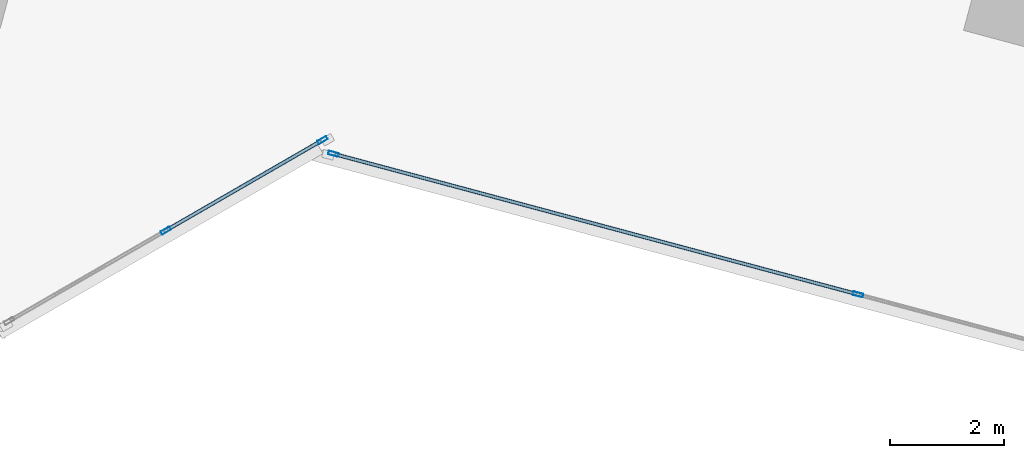
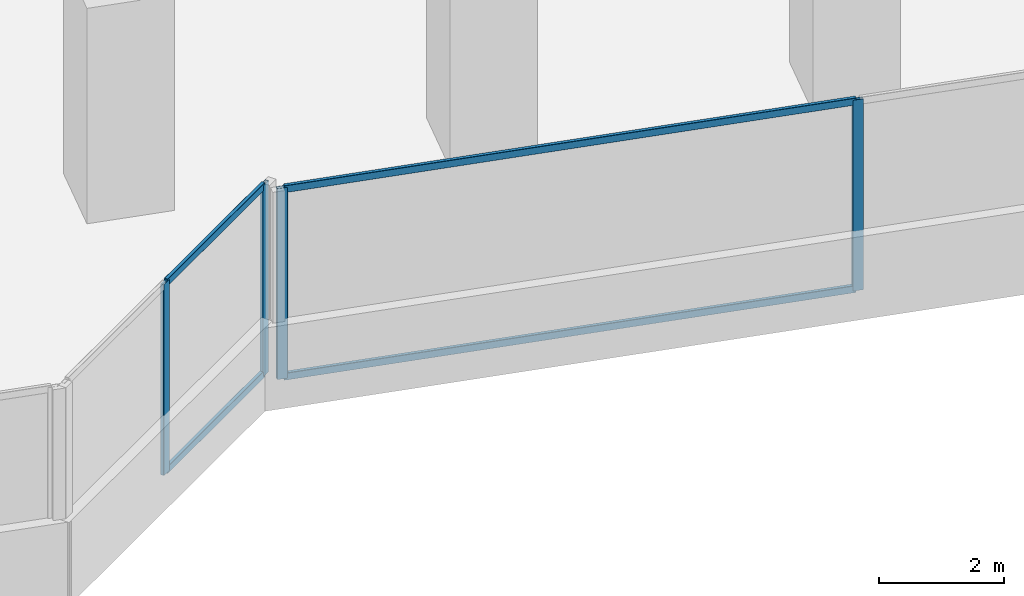
# One storey, part 7 of 26: 8 members, 2 elements without a shape of their own.
"""IFC4 building model written with IfcOpenShell, lengths in metres."""

from ifc_helpers import new_model, si_unit, direction, frame, origin, origin_2d, place, context, subcontext, project, spatial, hollow_rectangle, extrude, source, transform, mapped, material, material_profile, profile_set, type_object, element, aggregate, save


model = new_model("IFC4")

# Units and contexts
model_context = context("Model", 3, precision=1e-05, world=origin(), true_north=direction((0.0, 1.0)))
body_context = subcontext(model_context, "Body", "Model", "MODEL_VIEW")
ifc_project = project(units=[si_unit("LENGTHUNIT", "METRE"), si_unit("AREAUNIT", "SQUARE_METRE"), si_unit("VOLUMEUNIT", "CUBIC_METRE"), si_unit("PLANEANGLEUNIT", "RADIAN"), si_unit("MASSUNIT", "GRAM", prefix="KILO")], contexts=[model_context])

# Site, building, storey
site_placement = place(None, origin())
site = spatial("IfcSite", under=ifc_project, at=site_placement, CompositionType="ELEMENT")
building_placement = place(site_placement, origin())
building = spatial("IfcBuilding", under=site, at=building_placement, Name="Torre Montelarca", CompositionType="ELEMENT")
storey_placement = place(building_placement, frame((0.0, 0.0, 100.0)))
storey = spatial("IfcBuildingStorey", under=building, at=storey_placement, Name="L22", CompositionType="ELEMENT", Elevation=100.0)

# Curtain wall, members
ifc_material_1 = material(Name="Insulated low-E laminated glass", Category="glass")
curtain_wall_type = type_object("IfcCurtainWallType", Name="CW-SYS-Z1", PredefinedType="USERDEFINED", material=ifc_material_1)
curtain_wall_1_placement = place(storey_placement, origin())
curtain_wall_1 = element("IfcCurtainWall", 1, at=curtain_wall_1_placement, inside=storey, type_object=curtain_wall_type, Name="L22 Curtain Wall Run CW-T3-L22-E02-B1", ObjectType="UNITISED GLAZING", PredefinedType="USERDEFINED")
ifc_material_2 = material(Name="Anodised aluminium AA 6063-T6", Category="aluminium")
ifc_material_profile_1 = material_profile(ifc_material_2, hollow_rectangle(XDim=0.06494140625, YDim=0.139892578125, WallThickness=0.00390625, InnerFilletRadius=0.00390625, OuterFilletRadius=0.008056640625, at=origin_2d()), Name="ALU65X140X4", Category="aluminium")
ifc_profile_set_1 = profile_set([ifc_material_profile_1], Name="Anodised aluminium AA 6063-T6")
member_type_1 = type_object("IfcMemberType", Name="CWT-ALU140", PredefinedType="USERDEFINED", material=ifc_profile_set_1)
shared_shape_1 = source(origin(), body_context, "Body", "SweptSolid", [
    extrude(hollow_rectangle(XDim=0.06494140625, YDim=0.139892578125, WallThickness=0.00390625, InnerFilletRadius=0.00390625, OuterFilletRadius=0.008056640625, at=origin_2d()), origin(), (0.0, 0.0, 1.0), 3.102294921875),
])
member_1_placement = place(storey_placement, frame((30.196044921875, 13.41064453125, 0.032470703125), z_axis=(0.865996857859, 0.500049439734, 0.0), x_axis=(-0.500049439734, 0.865996857859, 0.0)))
member_1 = element("IfcMember", 2, at=member_1_placement, type_object=member_type_1, Name="CW transom 2.1", ObjectType="TRANSOM", PredefinedType="USERDEFINED", context=body_context, shape_type="MappedRepresentation", body=[
    mapped(shared_shape_1, transform((0.0, 0.0, 0.0), scale=1.0)),
])
member_2_placement = place(storey_placement, frame((30.196044921875, 13.41064453125, 3.6875), z_axis=(0.865996857859, 0.500049439734, 0.0), x_axis=(-0.500049439734, 0.865996857859, 0.0)))
member_2 = element("IfcMember", 3, at=member_2_placement, type_object=member_type_1, Name="CW transom 2.2", ObjectType="TRANSOM", PredefinedType="USERDEFINED", context=body_context, shape_type="MappedRepresentation", body=[
    mapped(shared_shape_1, transform((0.0, 0.0, 0.0), scale=1.0)),
])

curtain_wall_2_placement = place(storey_placement, origin())
curtain_wall_2 = element("IfcCurtainWall", 4, at=curtain_wall_2_placement, inside=storey, type_object=curtain_wall_type, Name="L22 Curtain Wall Run CW-T3-L22-E04-B1", ObjectType="UNITISED GLAZING", PredefinedType="USERDEFINED")
shared_shape_2 = source(origin(), body_context, "Body", "SweptSolid", [
    extrude(hollow_rectangle(XDim=0.06494140625, YDim=0.139892578125, WallThickness=0.00390625, InnerFilletRadius=0.00390625, OuterFilletRadius=0.008056640625, at=origin_2d()), origin(), (0.0, 0.0, 1.0), 9.448486328125),
])
member_3_placement = place(storey_placement, frame((33.1337890625, 14.73046875, 0.032470703125), z_axis=(0.965928905707, -0.258807552286, 0.0), x_axis=(0.258807552286, 0.965928905707, 0.0)))
member_3 = element("IfcMember", 5, at=member_3_placement, type_object=member_type_1, Name="CW transom 1.1", ObjectType="TRANSOM", PredefinedType="USERDEFINED", context=body_context, shape_type="MappedRepresentation", body=[
    mapped(shared_shape_2, transform((0.0, 0.0, 0.0), scale=1.0)),
])
member_4_placement = place(storey_placement, frame((33.1337890625, 14.73046875, 3.6875), z_axis=(0.965928905707, -0.258807552286, 0.0), x_axis=(0.258807552286, 0.965928905707, 0.0)))
member_4 = element("IfcMember", 6, at=member_4_placement, type_object=member_type_1, Name="CW transom 1.2", ObjectType="TRANSOM", PredefinedType="USERDEFINED", context=body_context, shape_type="MappedRepresentation", body=[
    mapped(shared_shape_2, transform((0.0, 0.0, 0.0), scale=1.0)),
])

# Member
ifc_material_profile_2 = material_profile(ifc_material_2, hollow_rectangle(XDim=0.06494140625, YDim=0.179931640625, WallThickness=0.00390625, InnerFilletRadius=0.00390625, OuterFilletRadius=0.008056640625, at=origin_2d()), Name="ALU65X180X4", Category="aluminium")
ifc_profile_set_2 = profile_set([ifc_material_profile_2], Name="Anodised aluminium AA 6063-T6")
member_type_2 = type_object("IfcMemberType", Name="CWM-ALU180", PredefinedType="MULLION", material=ifc_profile_set_2)
shared_shape_3 = source(origin(), body_context, "Body", "SweptSolid", [
    extrude(hollow_rectangle(XDim=0.06494140625, YDim=0.179931640625, WallThickness=0.00390625, InnerFilletRadius=0.00390625, OuterFilletRadius=0.008056640625, at=origin_2d()), origin(), (0.0, 0.0, 1.0), 3.719970703125),
])
member_5_placement = place(storey_placement, frame((30.167724609375, 13.394287109375, 0.0), z_axis=(0.0, 0.0, 1.0), x_axis=(-0.500001094386, 0.86602477194, 0.0)))
member_5 = element("IfcMember", 7, at=member_5_placement, type_object=member_type_2, Name="CW mullion 2", PredefinedType="MULLION", context=body_context, shape_type="MappedRepresentation", body=[
    mapped(shared_shape_3, transform((0.0, 0.0, 0.0), scale=1.0)),
])

member_6_placement = place(storey_placement, frame((32.91064453125, 14.97802734375, 0.0), z_axis=(0.0, 0.0, 1.0), x_axis=(-0.500001094386, 0.86602477194, 0.0)))
member_6 = element("IfcMember", 8, at=member_6_placement, type_object=member_type_2, Name="CW mullion 3", PredefinedType="MULLION", context=body_context, shape_type="MappedRepresentation", body=[
    mapped(shared_shape_3, transform((0.0, 0.0, 0.0), scale=1.0)),
])

aggregate(curtain_wall_1, [member_5, member_6, member_1, member_2])

member_7_placement = place(storey_placement, frame((33.102294921875, 14.739013671875, 0.0), z_axis=(0.0, 0.0, 1.0), x_axis=(0.258823354003, 0.965924671712, 0.0)))
member_7 = element("IfcMember", 9, at=member_7_placement, type_object=member_type_2, Name="CW mullion 1", PredefinedType="MULLION", context=body_context, shape_type="MappedRepresentation", body=[
    mapped(shared_shape_3, transform((0.0, 0.0, 0.0), scale=1.0)),
])

member_8_placement = place(storey_placement, frame((42.291748046875, 12.276611328125, 0.0), z_axis=(0.0, 0.0, 1.0), x_axis=(0.258823354003, 0.965924671712, 0.0)))
member_8 = element("IfcMember", 10, at=member_8_placement, type_object=member_type_2, Name="CW mullion 2", PredefinedType="MULLION", context=body_context, shape_type="MappedRepresentation", body=[
    mapped(shared_shape_3, transform((0.0, 0.0, 0.0), scale=1.0)),
])

aggregate(curtain_wall_2, [member_7, member_8, member_3, member_4])

save(model, "model.ifc")
